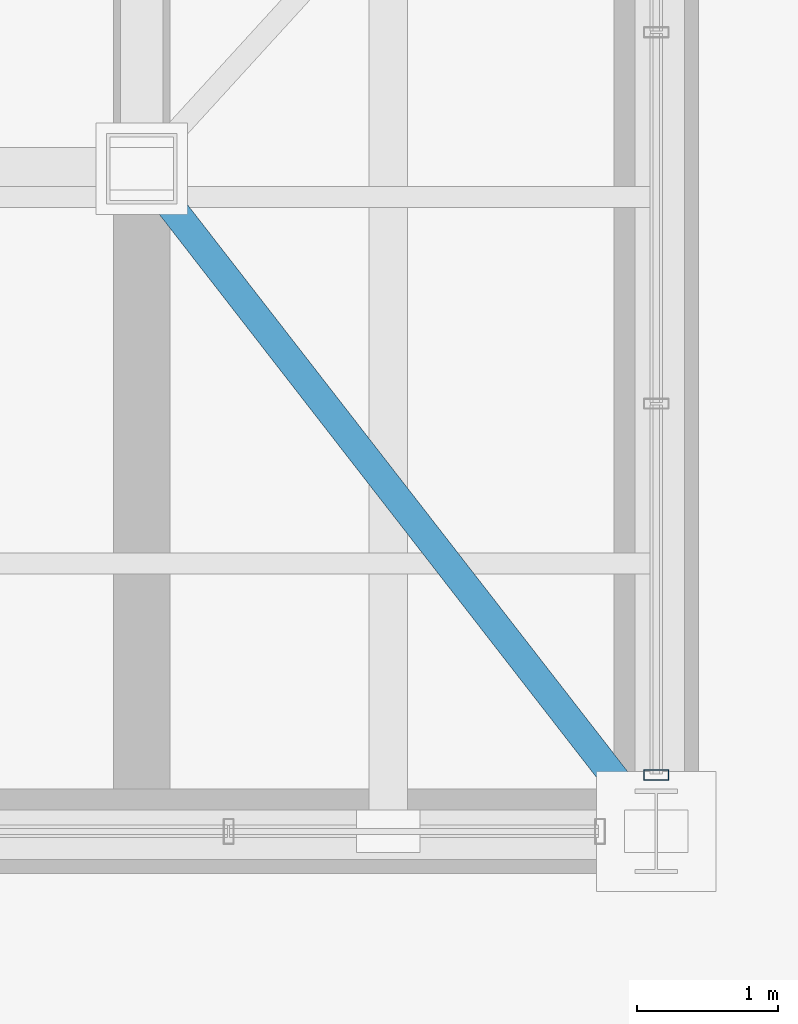
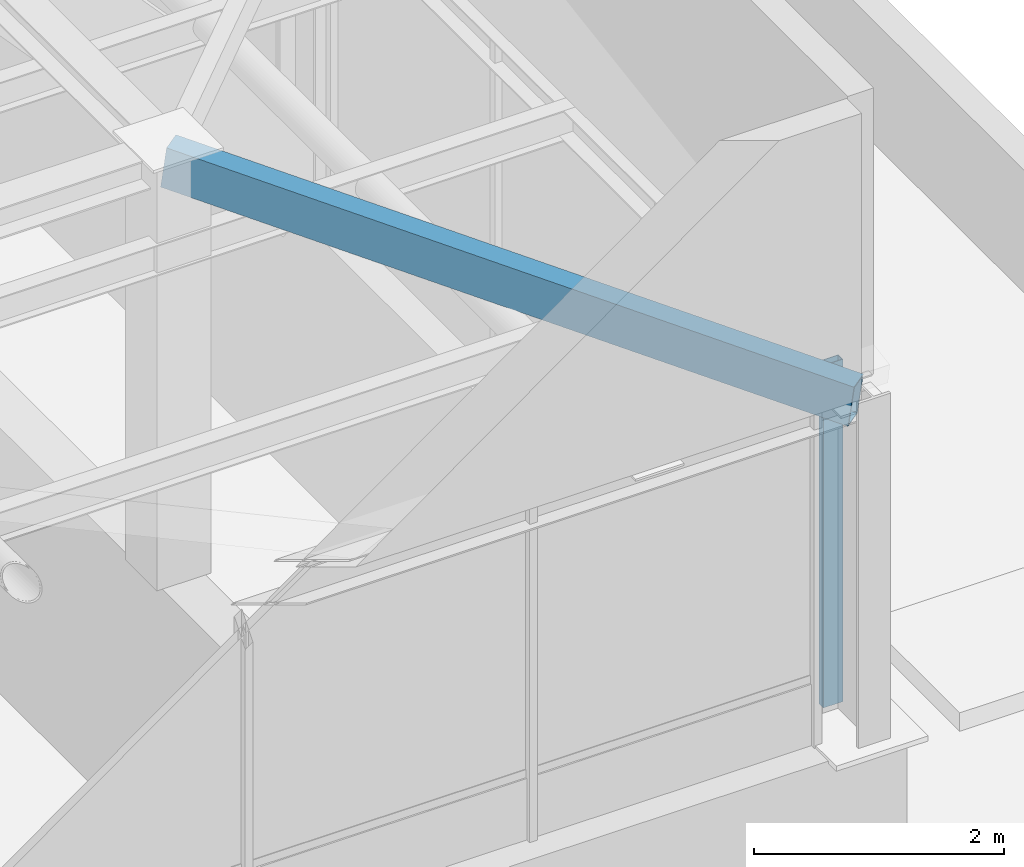
# One storey, part 10 of 22: 1 beam, 1 member, 1 element without a shape of its own.
"""IFC4 building model written with IfcOpenShell, lengths in metres."""

from ifc_helpers import new_model, si_unit, direction, frame, origin, origin_2d, place, context, subcontext, project, spatial, hollow_rectangle, extrude, material, layer, layer_set, material_profile, profile_set, type_object, element, aggregate, save


model = new_model("IFC4")

# Units and contexts
model_context = context("Model", 3, precision=1e-05, world=origin(), true_north=direction((0.0, 1.0)))
body_context = subcontext(model_context, "Body", "Model", "MODEL_VIEW")
ifc_project = project(units=[si_unit("LENGTHUNIT", "METRE"), si_unit("AREAUNIT", "SQUARE_METRE"), si_unit("VOLUMEUNIT", "CUBIC_METRE"), si_unit("PLANEANGLEUNIT", "RADIAN"), si_unit("MASSUNIT", "GRAM", prefix="KILO")], contexts=[model_context])

# Site, building, storey
site_placement = place(None, origin())
site = spatial("IfcSite", under=ifc_project, at=site_placement, CompositionType="ELEMENT")
building_placement = place(site_placement, origin())
building = spatial("IfcBuilding", under=site, at=building_placement, Name="Belovzor Exchange Tower", CompositionType="ELEMENT")
storey_placement = place(building_placement, frame((0.0, 0.0, 378.60009765625)))
storey = spatial("IfcBuildingStorey", under=building, at=storey_placement, Name="RF", CompositionType="ELEMENT", Elevation=378.60009765625)

# Beam
ifc_material_1 = material(Name="Steel S355", Category="steel")
ifc_material_profile_1 = material_profile(ifc_material_1, hollow_rectangle(XDim=0.199951171875, YDim=0.39990234375, WallThickness=0.012451171875, at=origin_2d()))
ifc_profile_set_1 = profile_set([ifc_material_profile_1], Name="Steel S355")
beam_type = type_object("IfcBeamType", Name="Crown Faceted Roof Rafter RHS 400x200x12.5", PredefinedType="BEAM", material=ifc_profile_set_1)
beam_placement = place(storey_placement, frame((37.5, 20.10009765625, 5.7998046875), z_axis=(-0.608281083468, 0.783278872096, 0.128328999148), x_axis=(-0.789809290804, -0.613352495845, 0.0)))
element("IfcBeam", 1, at=beam_placement, inside=storey, type_object=beam_type, Name="RR-400 Crown Faceted Roof Rafter RHS 400x200x12.5", PredefinedType="BEAM", context=body_context, shape_type="SweptSolid", body=[
    extrude(hollow_rectangle(XDim=0.199951171875, YDim=0.39990234375, WallThickness=0.012451171875, at=origin_2d()), origin(), (0.0, 0.0, 1.0), 6.000244140625),
])

# Curtain wall, member
ifc_material_2 = material(Name="Anodised Aluminium Framing", Category="aluminium")
ifc_layer = layer(ifc_material_2, 0.169921875)
ifc_layer_set = layer_set([ifc_layer], Name="Anodised Aluminium Framing")
curtain_wall_type = type_object("IfcCurtainWallType", Name="Stepped Crown Faceted Lantern Curtain Wall", PredefinedType="NOTDEFINED", material=ifc_layer_set)
curtain_wall_placement = place(storey_placement, origin())
curtain_wall = element("IfcCurtainWall", 2, at=curtain_wall_placement, inside=storey, type_object=curtain_wall_type, Name="CW6 Stepped Crown Faceted Lantern Curtain Wall RF", PredefinedType="NOTDEFINED")
ifc_material_3 = material(Name="Steel S355", Category="steel")
ifc_material_profile_2 = material_profile(ifc_material_3, hollow_rectangle(XDim=0.074951171875, YDim=0.179931640625, WallThickness=0.0048828125, at=origin_2d()))
ifc_profile_set_2 = profile_set([ifc_material_profile_2], Name="Steel S355")
member_type = type_object("IfcMemberType", Name="Thermally Broken Curtain Wall Mullion 180x75", PredefinedType="MULLION", material=ifc_profile_set_2)
member_placement = place(storey_placement, frame((37.5, 20.5, 2.599853515625), z_axis=(0.0, 0.0, 1.0), x_axis=(0.0, -1.0, 0.0)))
member = element("IfcMember", 3, at=member_placement, type_object=member_type, Name="CW-M180 Curtain Wall Mullion 4", PredefinedType="MULLION", context=body_context, shape_type="SweptSolid", body=[
    extrude(hollow_rectangle(XDim=0.074951171875, YDim=0.179931640625, WallThickness=0.0048828125, at=origin_2d()), origin(), (0.0, 0.0, 1.0), 3.35009765625),
])
aggregate(curtain_wall, [member])

save(model, "model.ifc")
